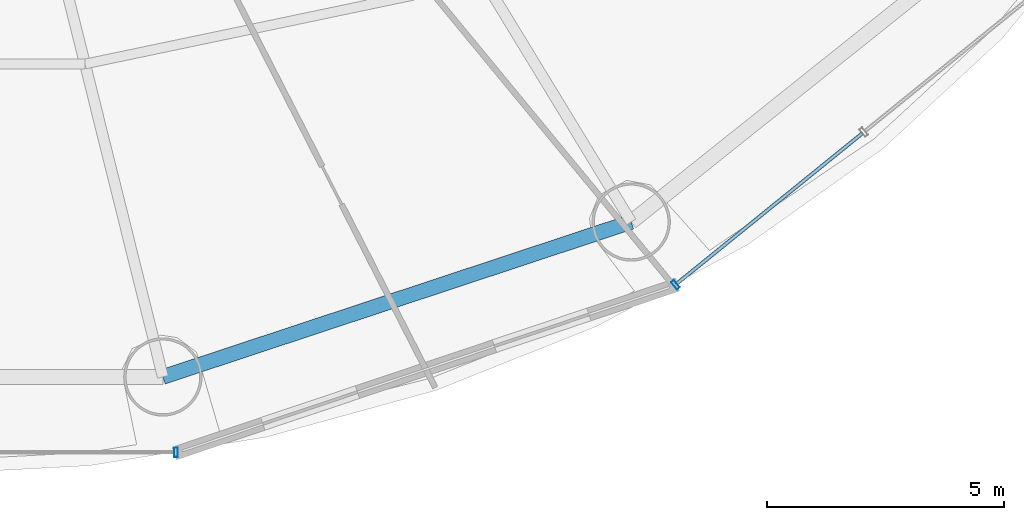
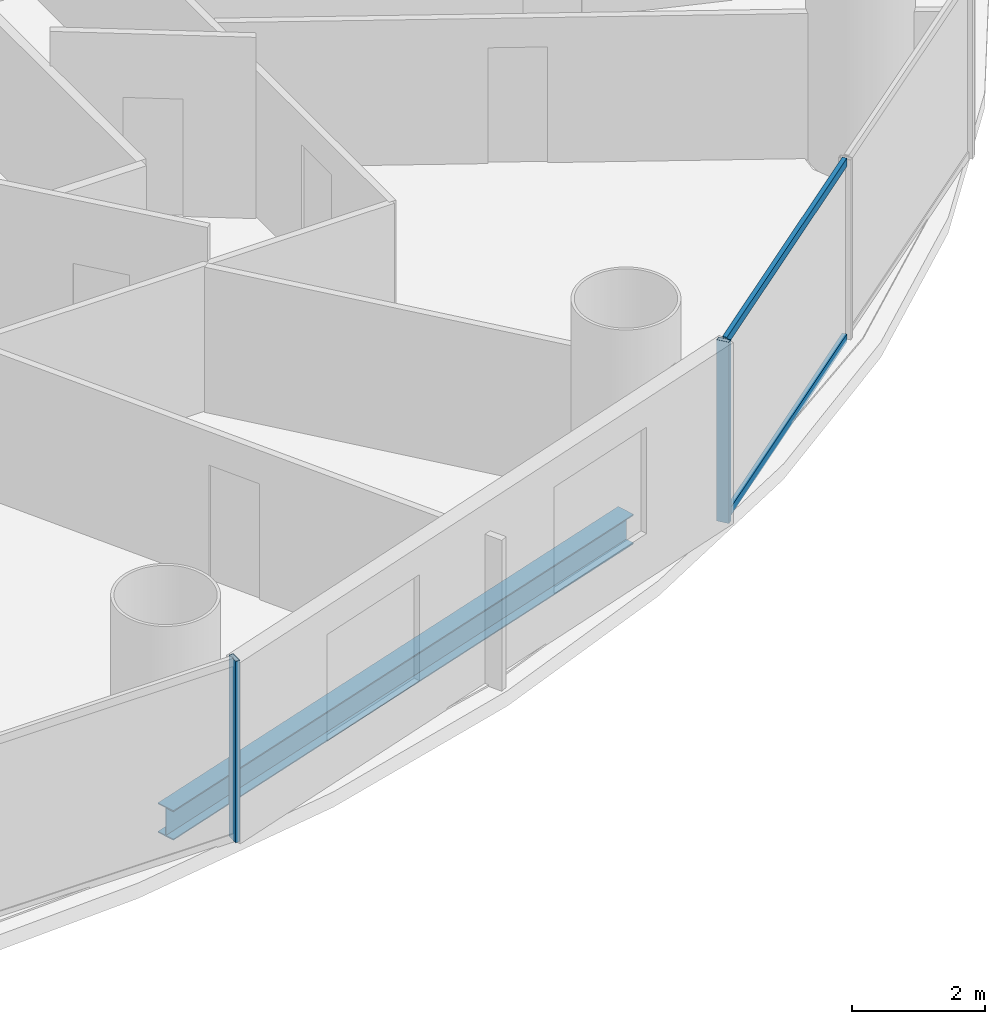
# One storey, part 10 of 30: 4 members, 1 beam, 2 elements without a shape of their own.
"""IFC4 building model written with IfcOpenShell, lengths in metres."""

import ifcopenshell
import ifcopenshell.guid

model = None  # the IFC model being written
_history = None  # IfcOwnerHistory: only IFC2X3 demands one
_inside = {}  # id of a spatial element -> (the spatial element, [elements in it])
_under = {}  # id of a project, library or spatial element -> (it, [spatial elements below it])
_declared = {}  # id of a project -> (the project, [libraries it declares])
_typed = {}  # id of a type object -> (the type object, [elements of that type])
_made_of = {}  # id of a material, layer set ... -> (it, [elements and type objects made of it])


def new_model(schema):
    """Start an empty IFC model of exactly this schema.

    Asked for "IFC4X3", IfcOpenShell would pick the latest addendum, in which some entities
    have other attributes; the version numbers below select the first issue.
    IFC2X3 requires an IfcOwnerHistory on every rooted entity: one is made here for all.
    """
    global model, _history
    if schema == "IFC4X3":
        model = ifcopenshell.file(schema_version=(4, 3, 0, 0))
    else:
        model = ifcopenshell.file(schema=schema)
    _inside.clear()
    _under.clear()
    _declared.clear()
    _typed.clear()
    _made_of.clear()
    _history = None
    if model.schema == "IFC2X3":
        org = make("IfcOrganization", Name="unknown")
        user = make(
            "IfcPersonAndOrganization",
            ThePerson=make("IfcPerson", FamilyName="unknown"),
            TheOrganization=org,
        )
        app = make(
            "IfcApplication",
            ApplicationDeveloper=org,
            Version="unknown",
            ApplicationFullName="unknown",
            ApplicationIdentifier="unknown",
        )
        _history = make(
            "IfcOwnerHistory",
            OwningUser=user,
            OwningApplication=app,
            ChangeAction="ADDED",
            CreationDate=0,
        )
    return model


def make(cls, **values):
    """One entity of the class cls with the attributes given. An attribute that is None is left unset."""
    return model.create_entity(
        cls, **{name: value for name, value in values.items() if value is not None}
    )


def rooted(cls, **values):
    """An entity with a GlobalId (a new one), such as an element, a storey or a relation."""
    return make(cls, GlobalId=ifcopenshell.guid.new(), OwnerHistory=_history, **values)


def si_unit(unit_type, name, prefix=None):
    """IfcSIUnit, for example si_unit("LENGTHUNIT", "METRE", prefix="MILLI")."""
    return make("IfcSIUnit", UnitType=unit_type, Prefix=prefix, Name=name)


def assignment(units):
    """IfcUnitAssignment: the units of a project."""
    return None if units is None else make("IfcUnitAssignment", Units=units)


def point(xyz):
    """IfcCartesianPoint."""
    return None if xyz is None else make("IfcCartesianPoint", Coordinates=xyz)


def direction(xyz):
    """IfcDirection."""
    return None if xyz is None else make("IfcDirection", DirectionRatios=xyz)


def frame(location, z_axis=None, x_axis=None):
    """IfcAxis2Placement3D, a coordinate frame: its origin and axes. An axis left out is left unset."""
    return make(
        "IfcAxis2Placement3D",
        Location=point(location),
        Axis=direction(z_axis),
        RefDirection=direction(x_axis),
    )


def frame_2d(location, x_axis=None):
    """IfcAxis2Placement2D, a coordinate frame in the plane: its origin and x axis."""
    return make(
        "IfcAxis2Placement2D", Location=point(location), RefDirection=direction(x_axis)
    )


def origin():
    """The frame at (0, 0, 0) with its axes left unset."""
    return frame((0.0, 0.0, 0.0))


def origin_2d():
    """The frame at (0, 0) in the plane with its x axis left unset."""
    return frame_2d((0.0, 0.0))


def place(relative_to, where):
    """IfcLocalPlacement: puts the frame where relative to a parent placement (None: the world)."""
    return make(
        "IfcLocalPlacement", PlacementRelTo=relative_to, RelativePlacement=where
    )


def context(
    kind, dimensions, precision=None, world=None, true_north=None, identifier=None
):
    """IfcGeometricRepresentationContext, for example the 3D "Model" context."""
    return make(
        "IfcGeometricRepresentationContext",
        ContextIdentifier=identifier,
        ContextType=kind,
        CoordinateSpaceDimension=dimensions,
        Precision=precision,
        WorldCoordinateSystem=world,
        TrueNorth=true_north,
    )


def subcontext(parent, identifier, kind, view, scale=None):
    """IfcGeometricRepresentationSubContext, for example "Body" below "Model"."""
    return make(
        "IfcGeometricRepresentationSubContext",
        ContextIdentifier=identifier,
        ContextType=kind,
        ParentContext=parent,
        TargetScale=scale,
        TargetView=view,
    )


def project(units=None, contexts=None):
    """IfcProject with its units and contexts."""
    return rooted(
        "IfcProject",
        Name="project",
        RepresentationContexts=contexts,
        UnitsInContext=assignment(units),
    )


def spatial(cls, under=None, at=None, **own):
    """A site, building, storey or space (cls), placed at a placement, below another one or the project."""
    s = rooted(cls, ObjectPlacement=at, **own)
    if under is not None:
        _under.setdefault(under.id(), (under, []))[1].append(s)
    return s


def profile(cls, at=None, kind="AREA", **sizes):
    """A parametric profile (cls). Its sizes go by their IFC names, for example OverallWidth=200.0."""
    return make(cls, ProfileType=kind, Position=at, **sizes)


def hollow_rectangle(**sizes):
    """IfcRectangleHollowProfileDef."""
    return profile("IfcRectangleHollowProfileDef", **sizes)


def i_section(**sizes):
    """IfcIShapeProfileDef."""
    return profile("IfcIShapeProfileDef", **sizes)


def extrude(swept, where, along, depth):
    """IfcExtrudedAreaSolid: the profile swept, set in the frame where, extruded along a direction by depth."""
    return make(
        "IfcExtrudedAreaSolid",
        SweptArea=swept,
        Position=where,
        ExtrudedDirection=direction(along),
        Depth=depth,
    )


def shape(context_of_items, identifier, shape_type, items):
    """IfcShapeRepresentation: the items that make up one representation, for example the "Body"."""
    return make(
        "IfcShapeRepresentation",
        ContextOfItems=context_of_items,
        RepresentationIdentifier=identifier,
        RepresentationType=shape_type,
        Items=items,
    )


def source(mapping_origin, context_of_items, identifier, shape_type, items):
    """IfcRepresentationMap: a shape defined once, which mapped items show again and again."""
    return make(
        "IfcRepresentationMap",
        MappingOrigin=mapping_origin,
        MappedRepresentation=shape(context_of_items, identifier, shape_type, items),
    )


def transform(
    local_origin,
    x_axis=None,
    y_axis=None,
    z_axis=None,
    scale=None,
    scale2=None,
    scale3=None,
    uniform=True,
):
    """IfcCartesianTransformationOperator3D, or its non-uniform kind. x_axis, y_axis, z_axis: its Axis1, 2, 3."""
    if uniform:
        return make(
            "IfcCartesianTransformationOperator3D",
            Axis1=direction(x_axis),
            Axis2=direction(y_axis),
            LocalOrigin=point(local_origin),
            Scale=scale,
            Axis3=direction(z_axis),
        )
    return make(
        "IfcCartesianTransformationOperator3DnonUniform",
        Axis1=direction(x_axis),
        Axis2=direction(y_axis),
        LocalOrigin=point(local_origin),
        Scale=scale,
        Axis3=direction(z_axis),
        Scale2=scale2,
        Scale3=scale3,
    )


def mapped(mapping_source, mapping_target):
    """IfcMappedItem: shows the shape of a source again, moved by a transform."""
    return make(
        "IfcMappedItem", MappingSource=mapping_source, MappingTarget=mapping_target
    )


def material(Name=None, Category=None):
    """IfcMaterial."""
    return make("IfcMaterial", Name=Name, Category=Category)


def material_profile(
    of_material, cross_section, Name=None, Category=None, Priority=None
):
    """IfcMaterialProfile: a cross section and its material."""
    return make(
        "IfcMaterialProfile",
        Name=Name,
        Material=of_material,
        Profile=cross_section,
        Priority=Priority,
        Category=Category,
    )


def profile_set(profiles, Name=None, composite=None):
    """IfcMaterialProfileSet."""
    return make(
        "IfcMaterialProfileSet",
        Name=Name,
        MaterialProfiles=profiles,
        CompositeProfile=composite,
    )


def made_of(thing, what):
    """Note that an element or type object is made of a material, layer set ...; save() writes the relation."""
    if what is not None:
        _made_of.setdefault(what.id(), (what, []))[1].append(thing)
    return thing


def type_object(cls, material=None, **own):
    """A type object (cls), such as IfcWallType, which elements share."""
    return made_of(rooted(cls, **own), material)


def element(
    cls,
    number,
    at=None,
    inside=None,
    cuts=None,
    type_object=None,
    material=None,
    context=None,
    identifier="Body",
    shape_type=None,
    held_by="IfcProductDefinitionShape",
    body=None,
    shapes=None,
    **own,
):
    """One element of the class cls, such as IfcWall. Its Tag is "e" and its number.

    at: its placement. inside: the storey or other place that contains it. cuts: it is an
    opening in that element (IfcRelVoidsElement). A single representation is given by context,
    identifier, shape_type and body (its items); several are given by shapes. held_by: the class
    of the entity that holds the representations. save() writes the other relations.
    """
    e = rooted(cls, Tag="e%d" % number, ObjectPlacement=at, **own)
    if body is not None:
        shapes = [shape(context, identifier, shape_type, body)]
    if shapes is not None:
        e.Representation = make(held_by, Representations=shapes)
    if inside is not None:
        _inside.setdefault(inside.id(), (inside, []))[1].append(e)
    if cuts is not None:
        rooted(
            "IfcRelVoidsElement", RelatingBuildingElement=cuts, RelatedOpeningElement=e
        )
    if type_object is not None:
        _typed.setdefault(type_object.id(), (type_object, []))[1].append(e)
    return made_of(e, material)


def aggregate(whole, parts):
    """IfcRelAggregates: a whole, such as a stair, and the parts it consists of."""
    return rooted("IfcRelAggregates", RelatingObject=whole, RelatedObjects=parts)


def save(model, path):
    """Write the relations noted so far, then the file.

    IfcRelAggregates (storeys below a building ...), IfcRelContainedInSpatialStructure (elements
    in a storey), IfcRelDefinesByType, IfcRelAssociatesMaterial and IfcRelDeclares: one each for
    every whole, place, type object, material and project.
    """
    for whole, parts in _under.values():
        aggregate(whole, parts)
    for where, things in _inside.values():
        rooted(
            "IfcRelContainedInSpatialStructure",
            RelatedElements=things,
            RelatingStructure=where,
        )
    for kind, things in _typed.values():
        rooted("IfcRelDefinesByType", RelatedObjects=things, RelatingType=kind)
    for what, things in _made_of.values():
        rooted("IfcRelAssociatesMaterial", RelatedObjects=things, RelatingMaterial=what)
    for by, libraries in _declared.values():
        rooted("IfcRelDeclares", RelatingContext=by, RelatedDefinitions=libraries)
    model.write(path)


model = new_model("IFC4")

# Units and contexts
model_context = context("Model", 3, precision=1e-05, world=origin(), true_north=direction((-0.2419218956, 0.970295726276)))
body_context = subcontext(model_context, "Body", "Model", "MODEL_VIEW")
ifc_project = project(units=[si_unit("LENGTHUNIT", "METRE"), si_unit("AREAUNIT", "SQUARE_METRE"), si_unit("VOLUMEUNIT", "CUBIC_METRE"), si_unit("PLANEANGLEUNIT", "RADIAN"), si_unit("MASSUNIT", "GRAM", prefix="KILO")], contexts=[model_context])

# Site, building, storey
site_placement = place(None, origin())
site = spatial("IfcSite", under=ifc_project, at=site_placement, CompositionType="ELEMENT")
building_placement = place(site_placement, origin())
building = spatial("IfcBuilding", under=site, at=building_placement, Name="Cobrevalo Terracotta Tower", CompositionType="ELEMENT")
storey_placement = place(building_placement, frame((0.0, 0.0, 31.199951171875)))
storey = spatial("IfcBuildingStorey", under=building, at=storey_placement, Name="L07", CompositionType="ELEMENT", Elevation=31.199951171875)

# Beam
ifc_material_1 = material(Name="Steel S355", Category="steel")
ifc_material_profile_1 = material_profile(ifc_material_1, i_section(OverallWidth=0.31201171875, OverallDepth=0.54296875, WebThickness=0.0126953125, FlangeThickness=0.020263671875, at=origin_2d()), Name="W 530x150")
ifc_profile_set_1 = profile_set([ifc_material_profile_1], Name="Steel S355")
beam_type = type_object("IfcBeamType", Name="Structural Spandrel W 530x150 (Steel S355)", PredefinedType="SPANDREL", material=ifc_profile_set_1)
beam_placement = place(storey_placement, frame((43.335693359375, 5.369873046875, -0.551513671875), z_axis=(0.949372202648, 0.314153498848, 0.0), x_axis=(-0.314153498848, 0.949372202648, 0.0)))
element("IfcBeam", 1, at=beam_placement, inside=storey, type_object=beam_type, Name="L07 perimeter ring spandrel 13", PredefinedType="SPANDREL", context=body_context, shape_type="SweptSolid", body=[
    extrude(i_section(OverallWidth=0.31201171875, OverallDepth=0.54296875, WebThickness=0.0126953125, FlangeThickness=0.020263671875, at=origin_2d()), origin(), (0.0, 0.0, 1.0), 10.385009765625),
])

# Curtain wall, member
ifc_material_2 = material(Name="Anodized aluminium", Category="aluminium")
curtain_wall_type = type_object("IfcCurtainWallType", Name="Lower-tower unitised acoustic low-E curtain wall CW-U1", PredefinedType="NOTDEFINED", material=ifc_material_2)
curtain_wall_1_placement = place(storey_placement, origin())
curtain_wall_1 = element("IfcCurtainWall", 2, at=curtain_wall_1_placement, inside=storey, type_object=curtain_wall_type, Name="L07 curtain wall CW-L07-S12", PredefinedType="NOTDEFINED")
ifc_material_profile_2 = material_profile(ifc_material_2, hollow_rectangle(XDim=0.074951171875, YDim=0.199951171875, WallThickness=0.0048828125, at=origin_2d()), Name="CWM 75x200")
ifc_profile_set_2 = profile_set([ifc_material_profile_2], Name="Anodized aluminium")
member_type_1 = type_object("IfcMemberType", Name="Lower/mid tower unitised mullion 75x200", PredefinedType="MULLION", material=ifc_profile_set_2)
shared_shape_1 = source(origin(), body_context, "Body", "SweptSolid", [
    extrude(hollow_rectangle(XDim=0.074951171875, YDim=0.199951171875, WallThickness=0.0048828125, at=origin_2d()), origin(), (0.0, 0.0, 1.0), 3.320068359375),
])
member_1_placement = place(storey_placement, frame((43.61181640625, 3.781005859375, 0.0), z_axis=(0.0, 0.0, 1.0), x_axis=(1.0, 0.0, 0.0)))
member_1 = element("IfcMember", 3, at=member_1_placement, type_object=member_type_1, Name="CW-L07-S12 vertical mullion 03", PredefinedType="MULLION", context=body_context, shape_type="MappedRepresentation", body=[
    mapped(shared_shape_1, transform((0.0, 0.0, 0.0), scale=1.0)),
])
aggregate(curtain_wall_1, [member_1])

# Curtain wall, members
curtain_wall_2_placement = place(storey_placement, origin())
curtain_wall_2 = element("IfcCurtainWall", 4, at=curtain_wall_2_placement, inside=storey, type_object=curtain_wall_type, Name="L07 curtain wall CW-L07-S14", PredefinedType="NOTDEFINED")
member_2_placement = place(storey_placement, frame((54.1259765625, 7.310546875, 0.0), z_axis=(0.0, 0.0, 1.0), x_axis=(0.777003153187, 0.629496703675, 0.0)))
member_2 = element("IfcMember", 5, at=member_2_placement, type_object=member_type_1, Name="CW-L07-S14 vertical mullion 01", PredefinedType="MULLION", context=body_context, shape_type="MappedRepresentation", body=[
    mapped(shared_shape_1, transform((0.0, 0.0, 0.0), scale=1.0)),
])
ifc_material_profile_3 = material_profile(ifc_material_2, hollow_rectangle(XDim=0.074951171875, YDim=0.14990234375, WallThickness=0.00439453125, at=origin_2d()), Name="CWT 75x150")
ifc_profile_set_3 = profile_set([ifc_material_profile_3], Name="Anodized aluminium")
member_type_2 = type_object("IfcMemberType", Name="Tower unitised aluminium transom 75x150", PredefinedType="USERDEFINED", material=ifc_profile_set_3)
shared_shape_2 = source(origin(), body_context, "Body", "SweptSolid", [
    extrude(hollow_rectangle(XDim=0.074951171875, YDim=0.14990234375, WallThickness=0.00439453125, at=origin_2d()), origin(), (0.0, 0.0, 1.0), 5.0234375),
])
member_3_placement = place(storey_placement, frame((54.156982421875, 7.335693359375, 0.050048828125), z_axis=(0.777022991593, 0.629472215857, 0.0), x_axis=(-0.629472215857, 0.777022991593, 0.0)))
member_3 = element("IfcMember", 6, at=member_3_placement, type_object=member_type_2, Name="CW-L07-S14 transom B01-T1", ObjectType="TRANSOM", PredefinedType="USERDEFINED", context=body_context, shape_type="MappedRepresentation", body=[
    mapped(shared_shape_2, transform((0.0, 0.0, 0.0), scale=1.0)),
])
member_4_placement = place(storey_placement, frame((54.156982421875, 7.335693359375, 3.27001953125), z_axis=(0.777022991593, 0.629472215857, 0.0), x_axis=(-0.629472215857, 0.777022991593, 0.0)))
member_4 = element("IfcMember", 7, at=member_4_placement, type_object=member_type_2, Name="CW-L07-S14 transom B01-T2", ObjectType="TRANSOM", PredefinedType="USERDEFINED", context=body_context, shape_type="MappedRepresentation", body=[
    mapped(shared_shape_2, transform((0.0, 0.0, 0.0), scale=1.0)),
])
aggregate(curtain_wall_2, [member_2, member_3, member_4])

save(model, "model.ifc")
